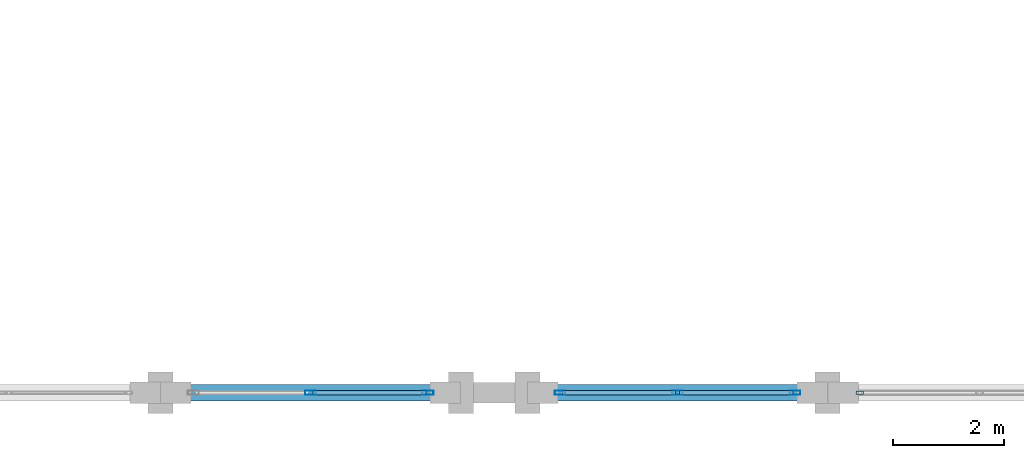
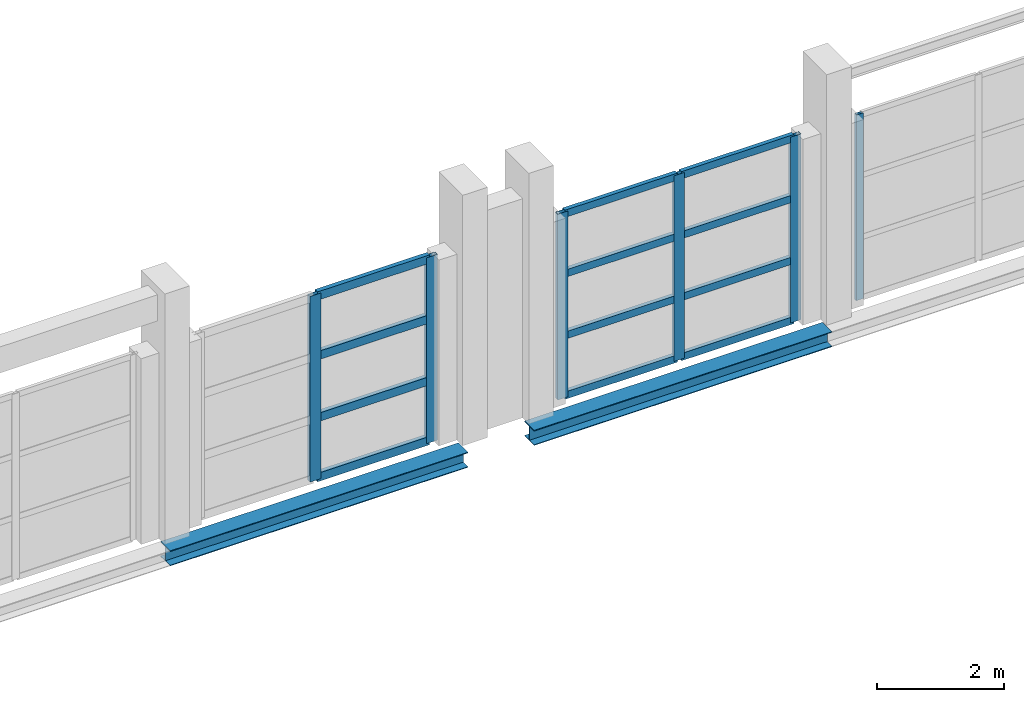
# One storey, part 74 of 147: 18 members, 2 beams, 3 elements without a shape of their own.
"""IFC4 building model written with IfcOpenShell, lengths in metres."""

from ifc_helpers import new_model, si_unit, direction, frame, origin, origin_2d, place, context, subcontext, project, spatial, hollow_rectangle, i_section, extrude, material, layer, layer_set, material_profile, profile_set, type_object, element, aggregate, save


model = new_model("IFC4")

# Units and contexts
model_context = context("Model", 3, precision=1e-05, world=origin(), true_north=direction((0.0, 1.0)))
body_context = subcontext(model_context, "Body", "Model", "MODEL_VIEW")
ifc_project = project(units=[si_unit("LENGTHUNIT", "METRE"), si_unit("AREAUNIT", "SQUARE_METRE"), si_unit("VOLUMEUNIT", "CUBIC_METRE"), si_unit("PLANEANGLEUNIT", "RADIAN"), si_unit("MASSUNIT", "GRAM", prefix="KILO")], contexts=[model_context])

# Site, building, storey
site_placement = place(None, origin())
site = spatial("IfcSite", under=ifc_project, at=site_placement, CompositionType="ELEMENT")
building_placement = place(site_placement, origin())
building = spatial("IfcBuilding", under=site, at=building_placement, Name="Zilviju Railside Exhibition Hall", CompositionType="ELEMENT")
storey_placement = place(building_placement, frame((0.0, 0.0, 8.39990234375)))
storey = spatial("IfcBuildingStorey", under=building, at=storey_placement, Name="L03", CompositionType="ELEMENT", Elevation=8.39990234375)

# Beams
ifc_material_1 = material(Name="Steel S355J2", Category="steel")
ifc_material_profile_1 = material_profile(ifc_material_1, i_section(OverallWidth=0.300048828125, OverallDepth=0.2900390625, WebThickness=0.008544921875, FlangeThickness=0.013916015625, at=origin_2d()), Name="HEA 300")
ifc_profile_set_1 = profile_set([ifc_material_profile_1], Name="Steel S355J2")
beam_type = type_object("IfcBeamType", Name="BM-HEA300", PredefinedType="SPANDREL", material=ifc_profile_set_1)
for number, where, z_axis, x_axis, name in (
    (1, (168.0, 0.0, -0.48486328125), (1.0, 0.0, 0.0), (0.0, 1.0, 0.0), "Primary Girder L03 Y=0.0 (168.0..173.4)"),
    (2, (174.60009765625, 0.0, -0.48486328125), (1.0, 0.0, 0.0), (0.0, 1.0, 0.0), "Primary Girder L03 Y=0.0 (174.6..180.0)"),
):
    element("IfcBeam", number, at=place(storey_placement, frame(where, z_axis=z_axis, x_axis=x_axis)), inside=storey, type_object=beam_type, Name=name, PredefinedType="SPANDREL", context=body_context, shape_type="SweptSolid", body=[
        extrude(i_section(OverallWidth=0.300048828125, OverallDepth=0.2900390625, WebThickness=0.008544921875, FlangeThickness=0.013916015625, at=origin_2d()), origin(), (0.0, 0.0, 1.0), 5.39990234375),
    ])

# Curtain wall, member
ifc_material_2 = material(Name="Thermally broken aluminium-steel triple-glazed curtain wall", Category="steel")
ifc_layer_1 = layer(ifc_material_2, 0.179931640625)
ifc_layer_set_1 = layer_set([ifc_layer_1], Name="Thermally broken aluminium-steel triple-glazed curtain wall")
curtain_wall_type_1 = type_object("IfcCurtainWallType", Name="CW-BAY-02", PredefinedType="USERDEFINED", material=ifc_layer_set_1)
curtain_wall_1_placement = place(storey_placement, origin())
curtain_wall_1 = element("IfcCurtainWall", 3, at=curtain_wall_1_placement, inside=storey, type_object=curtain_wall_type_1, Name="South Hall Facade Curtain Wall L03 (180..192)", ObjectType="GLAZED CURTAIN WALL", PredefinedType="USERDEFINED")
ifc_material_3 = material(Name="Thermally broken anodized aluminium mullion", Category="aluminium")
ifc_material_profile_2 = material_profile(ifc_material_3, hollow_rectangle(XDim=0.054931640625, YDim=0.1298828125, WallThickness=0.0048828125, at=origin_2d()), Name="MULLION 130x55x5")
ifc_profile_set_2 = profile_set([ifc_material_profile_2], Name="Thermally broken anodized aluminium mullion")
member_type_1 = type_object("IfcMemberType", Name="CWM-55x130", PredefinedType="MULLION", material=ifc_profile_set_2)
member_1_placement = place(storey_placement, frame((180.577392578125, 0.0, 0.0), z_axis=(0.0, 0.0, 1.0), x_axis=(0.0, -1.0, 0.0)))
member_1 = element("IfcMember", 4, at=member_1_placement, type_object=member_type_1, Name="CW-02 mullion 6", PredefinedType="MULLION", context=body_context, shape_type="SweptSolid", body=[
    extrude(hollow_rectangle(XDim=0.054931640625, YDim=0.1298828125, WallThickness=0.0048828125, at=origin_2d()), origin(), (0.0, 0.0, 1.0), 3.56005859375),
])
aggregate(curtain_wall_1, [member_1])

# Curtain wall, members
ifc_layer_2 = layer(ifc_material_2, 0.179931640625)
ifc_layer_set_2 = layer_set([ifc_layer_2], Name="Thermally broken aluminium-steel triple-glazed curtain wall")
curtain_wall_type_2 = type_object("IfcCurtainWallType", Name="CW-BAY-01", PredefinedType="USERDEFINED", material=ifc_layer_set_2)
curtain_wall_2_placement = place(storey_placement, origin())
curtain_wall_2 = element("IfcCurtainWall", 5, at=curtain_wall_2_placement, inside=storey, type_object=curtain_wall_type_2, Name="South Hall Facade Curtain Wall L03 (175..180)", ObjectType="GLAZED CURTAIN WALL", PredefinedType="USERDEFINED")
ifc_material_profile_3 = material_profile(ifc_material_3, hollow_rectangle(XDim=0.074951171875, YDim=0.18994140625, WallThickness=0.0048828125, at=origin_2d()), Name="MULLION 190x75x5")
ifc_profile_set_3 = profile_set([ifc_material_profile_3], Name="Thermally broken anodized aluminium mullion")
member_type_2 = type_object("IfcMemberType", Name="CWM-75x190", PredefinedType="MULLION", material=ifc_profile_set_3)
member_2_placement = place(storey_placement, frame((179.41259765625, 0.0, 0.0), z_axis=(0.0, 0.0, 1.0), x_axis=(0.0, -1.0, 0.0)))
member_2 = element("IfcMember", 6, at=member_2_placement, type_object=member_type_2, Name="CW-01 mullion 1", PredefinedType="MULLION", context=body_context, shape_type="SweptSolid", body=[
    extrude(hollow_rectangle(XDim=0.074951171875, YDim=0.18994140625, WallThickness=0.0048828125, at=origin_2d()), origin(), (0.0, 0.0, 1.0), 3.56005859375),
])
member_3_placement = place(storey_placement, frame((177.300048828125, 0.0, 0.0), z_axis=(0.0, 0.0, 1.0), x_axis=(0.0, -1.0, 0.0)))
member_3 = element("IfcMember", 7, at=member_3_placement, type_object=member_type_2, Name="CW-01 mullion 2", PredefinedType="MULLION", context=body_context, shape_type="SweptSolid", body=[
    extrude(hollow_rectangle(XDim=0.074951171875, YDim=0.18994140625, WallThickness=0.0048828125, at=origin_2d()), origin(), (0.0, 0.0, 1.0), 3.56005859375),
])
member_4_placement = place(storey_placement, frame((175.1875, 0.0, 0.0), z_axis=(0.0, 0.0, 1.0), x_axis=(0.0, -1.0, 0.0)))
member_4 = element("IfcMember", 8, at=member_4_placement, type_object=member_type_2, Name="CW-01 mullion 3", PredefinedType="MULLION", context=body_context, shape_type="SweptSolid", body=[
    extrude(hollow_rectangle(XDim=0.074951171875, YDim=0.18994140625, WallThickness=0.0048828125, at=origin_2d()), origin(), (0.0, 0.0, 1.0), 3.56005859375),
])

ifc_layer_3 = layer(ifc_material_2, 0.179931640625)
ifc_layer_set_3 = layer_set([ifc_layer_3], Name="Thermally broken aluminium-steel triple-glazed curtain wall")
curtain_wall_type_3 = type_object("IfcCurtainWallType", Name="CW-BAY-20", PredefinedType="USERDEFINED", material=ifc_layer_set_3)
curtain_wall_3_placement = place(storey_placement, origin())
curtain_wall_3 = element("IfcCurtainWall", 9, at=curtain_wall_3_placement, inside=storey, type_object=curtain_wall_type_3, Name="South Hall Facade Curtain Wall L03 (168..173)", ObjectType="GLAZED CURTAIN WALL", PredefinedType="USERDEFINED")
ifc_material_profile_4 = material_profile(ifc_material_3, hollow_rectangle(XDim=0.080078125, YDim=0.199951171875, WallThickness=0.0048828125, at=origin_2d()), Name="MULLION 200x80x5")
ifc_profile_set_4 = profile_set([ifc_material_profile_4], Name="Thermally broken anodized aluminium mullion")
member_type_3 = type_object("IfcMemberType", Name="CWM-80x200", PredefinedType="MULLION", material=ifc_profile_set_4)
member_5_placement = place(storey_placement, frame((172.81005859375, 0.0, 0.0), z_axis=(0.0, 0.0, 1.0), x_axis=(0.0, -1.0, 0.0)))
member_5 = element("IfcMember", 10, at=member_5_placement, type_object=member_type_3, Name="CW-20 mullion 1", PredefinedType="MULLION", context=body_context, shape_type="SweptSolid", body=[
    extrude(hollow_rectangle(XDim=0.080078125, YDim=0.199951171875, WallThickness=0.0048828125, at=origin_2d()), origin(), (0.0, 0.0, 1.0), 3.56005859375),
])
member_6_placement = place(storey_placement, frame((170.699951171875, 0.0, 0.0), z_axis=(0.0, 0.0, 1.0), x_axis=(0.0, -1.0, 0.0)))
member_6 = element("IfcMember", 11, at=member_6_placement, type_object=member_type_3, Name="CW-20 mullion 2", PredefinedType="MULLION", context=body_context, shape_type="SweptSolid", body=[
    extrude(hollow_rectangle(XDim=0.080078125, YDim=0.199951171875, WallThickness=0.0048828125, at=origin_2d()), origin(), (0.0, 0.0, 1.0), 3.56005859375),
])

# Member
ifc_material_4 = material(Name="Thermally broken anodized aluminium transom", Category="aluminium")
ifc_material_profile_5 = material_profile(ifc_material_4, hollow_rectangle(XDim=0.074951171875, YDim=0.139892578125, WallThickness=0.0048828125, at=origin_2d()), Name="TRANSOM 140x75x5")
ifc_profile_set_5 = profile_set([ifc_material_profile_5], Name="Thermally broken anodized aluminium transom")
member_type_4 = type_object("IfcMemberType", Name="CWT-75x140", PredefinedType="USERDEFINED", material=ifc_profile_set_5)
member_7_placement = place(storey_placement, frame((179.375, 0.0, 0.03759765625), z_axis=(-1.0, 0.0, 0.0), x_axis=(0.0, -1.0, 0.0)))
member_7 = element("IfcMember", 12, at=member_7_placement, type_object=member_type_4, Name="CW-01 transom 1.1", ObjectType="TRANSOM", PredefinedType="USERDEFINED", context=body_context, shape_type="SweptSolid", body=[
    extrude(hollow_rectangle(XDim=0.074951171875, YDim=0.139892578125, WallThickness=0.0048828125, at=origin_2d()), origin(), (0.0, 0.0, 1.0), 2.03759765625),
])

member_8_placement = place(storey_placement, frame((179.375, 0.0, 1.18701171875), z_axis=(-1.0, 0.0, 0.0), x_axis=(0.0, -1.0, 0.0)))
member_8 = element("IfcMember", 13, at=member_8_placement, type_object=member_type_4, Name="CW-01 transom 1.2", ObjectType="TRANSOM", PredefinedType="USERDEFINED", context=body_context, shape_type="SweptSolid", body=[
    extrude(hollow_rectangle(XDim=0.074951171875, YDim=0.139892578125, WallThickness=0.0048828125, at=origin_2d()), origin(), (0.0, 0.0, 1.0), 2.03759765625),
])

member_9_placement = place(storey_placement, frame((179.375, 0.0, 2.373046875), z_axis=(-1.0, 0.0, 0.0), x_axis=(0.0, -1.0, 0.0)))
member_9 = element("IfcMember", 14, at=member_9_placement, type_object=member_type_4, Name="CW-01 transom 1.3", ObjectType="TRANSOM", PredefinedType="USERDEFINED", context=body_context, shape_type="SweptSolid", body=[
    extrude(hollow_rectangle(XDim=0.074951171875, YDim=0.139892578125, WallThickness=0.0048828125, at=origin_2d()), origin(), (0.0, 0.0, 1.0), 2.03759765625),
])

member_10_placement = place(storey_placement, frame((179.375, 0.0, 3.522705078125), z_axis=(-1.0, 0.0, 0.0), x_axis=(0.0, -1.0, 0.0)))
member_10 = element("IfcMember", 15, at=member_10_placement, type_object=member_type_4, Name="CW-01 transom 1.4", ObjectType="TRANSOM", PredefinedType="USERDEFINED", context=body_context, shape_type="SweptSolid", body=[
    extrude(hollow_rectangle(XDim=0.074951171875, YDim=0.139892578125, WallThickness=0.0048828125, at=origin_2d()), origin(), (0.0, 0.0, 1.0), 2.03759765625),
])

member_11_placement = place(storey_placement, frame((177.262451171875, 0.0, 0.03759765625), z_axis=(-1.0, 0.0, 0.0), x_axis=(0.0, -1.0, 0.0)))
member_11 = element("IfcMember", 16, at=member_11_placement, type_object=member_type_4, Name="CW-01 transom 2.1", ObjectType="TRANSOM", PredefinedType="USERDEFINED", context=body_context, shape_type="SweptSolid", body=[
    extrude(hollow_rectangle(XDim=0.074951171875, YDim=0.139892578125, WallThickness=0.0048828125, at=origin_2d()), origin(), (0.0, 0.0, 1.0), 2.037353515625),
])

member_12_placement = place(storey_placement, frame((177.262451171875, 0.0, 1.18701171875), z_axis=(-1.0, 0.0, 0.0), x_axis=(0.0, -1.0, 0.0)))
member_12 = element("IfcMember", 17, at=member_12_placement, type_object=member_type_4, Name="CW-01 transom 2.2", ObjectType="TRANSOM", PredefinedType="USERDEFINED", context=body_context, shape_type="SweptSolid", body=[
    extrude(hollow_rectangle(XDim=0.074951171875, YDim=0.139892578125, WallThickness=0.0048828125, at=origin_2d()), origin(), (0.0, 0.0, 1.0), 2.037353515625),
])

member_13_placement = place(storey_placement, frame((177.262451171875, 0.0, 2.373046875), z_axis=(-1.0, 0.0, 0.0), x_axis=(0.0, -1.0, 0.0)))
member_13 = element("IfcMember", 18, at=member_13_placement, type_object=member_type_4, Name="CW-01 transom 2.3", ObjectType="TRANSOM", PredefinedType="USERDEFINED", context=body_context, shape_type="SweptSolid", body=[
    extrude(hollow_rectangle(XDim=0.074951171875, YDim=0.139892578125, WallThickness=0.0048828125, at=origin_2d()), origin(), (0.0, 0.0, 1.0), 2.037353515625),
])

member_14_placement = place(storey_placement, frame((177.262451171875, 0.0, 3.522705078125), z_axis=(-1.0, 0.0, 0.0), x_axis=(0.0, -1.0, 0.0)))
member_14 = element("IfcMember", 19, at=member_14_placement, type_object=member_type_4, Name="CW-01 transom 2.4", ObjectType="TRANSOM", PredefinedType="USERDEFINED", context=body_context, shape_type="SweptSolid", body=[
    extrude(hollow_rectangle(XDim=0.074951171875, YDim=0.139892578125, WallThickness=0.0048828125, at=origin_2d()), origin(), (0.0, 0.0, 1.0), 2.037353515625),
])

aggregate(curtain_wall_2, [member_2, member_3, member_4, member_7, member_8, member_9, member_10, member_11, member_12, member_13, member_14])

ifc_material_profile_6 = material_profile(ifc_material_4, hollow_rectangle(XDim=0.080078125, YDim=0.159912109375, WallThickness=0.0048828125, at=origin_2d()), Name="TRANSOM 160x80x5")
ifc_profile_set_6 = profile_set([ifc_material_profile_6], Name="Thermally broken anodized aluminium transom")
member_type_5 = type_object("IfcMemberType", Name="CWT-80x160", PredefinedType="USERDEFINED", material=ifc_profile_set_6)
member_15_placement = place(storey_placement, frame((172.77001953125, 0.0, 0.0400390625), z_axis=(-1.0, 0.0, 0.0), x_axis=(0.0, -1.0, 0.0)))
member_15 = element("IfcMember", 20, at=member_15_placement, type_object=member_type_5, Name="CW-20 transom 1.1", ObjectType="TRANSOM", PredefinedType="USERDEFINED", context=body_context, shape_type="SweptSolid", body=[
    extrude(hollow_rectangle(XDim=0.080078125, YDim=0.159912109375, WallThickness=0.0048828125, at=origin_2d()), origin(), (0.0, 0.0, 1.0), 2.030029296875),
])

member_16_placement = place(storey_placement, frame((172.77001953125, 0.0, 1.18701171875), z_axis=(-1.0, 0.0, 0.0), x_axis=(0.0, -1.0, 0.0)))
member_16 = element("IfcMember", 21, at=member_16_placement, type_object=member_type_5, Name="CW-20 transom 1.2", ObjectType="TRANSOM", PredefinedType="USERDEFINED", context=body_context, shape_type="SweptSolid", body=[
    extrude(hollow_rectangle(XDim=0.080078125, YDim=0.159912109375, WallThickness=0.0048828125, at=origin_2d()), origin(), (0.0, 0.0, 1.0), 2.030029296875),
])

member_17_placement = place(storey_placement, frame((172.77001953125, 0.0, 2.373046875), z_axis=(-1.0, 0.0, 0.0), x_axis=(0.0, -1.0, 0.0)))
member_17 = element("IfcMember", 22, at=member_17_placement, type_object=member_type_5, Name="CW-20 transom 1.3", ObjectType="TRANSOM", PredefinedType="USERDEFINED", context=body_context, shape_type="SweptSolid", body=[
    extrude(hollow_rectangle(XDim=0.080078125, YDim=0.159912109375, WallThickness=0.0048828125, at=origin_2d()), origin(), (0.0, 0.0, 1.0), 2.030029296875),
])

member_18_placement = place(storey_placement, frame((172.77001953125, 0.0, 3.52001953125), z_axis=(-1.0, 0.0, 0.0), x_axis=(0.0, -1.0, 0.0)))
member_18 = element("IfcMember", 23, at=member_18_placement, type_object=member_type_5, Name="CW-20 transom 1.4", ObjectType="TRANSOM", PredefinedType="USERDEFINED", context=body_context, shape_type="SweptSolid", body=[
    extrude(hollow_rectangle(XDim=0.080078125, YDim=0.159912109375, WallThickness=0.0048828125, at=origin_2d()), origin(), (0.0, 0.0, 1.0), 2.030029296875),
])

aggregate(curtain_wall_3, [member_5, member_6, member_15, member_16, member_17, member_18])

save(model, "model.ifc")
